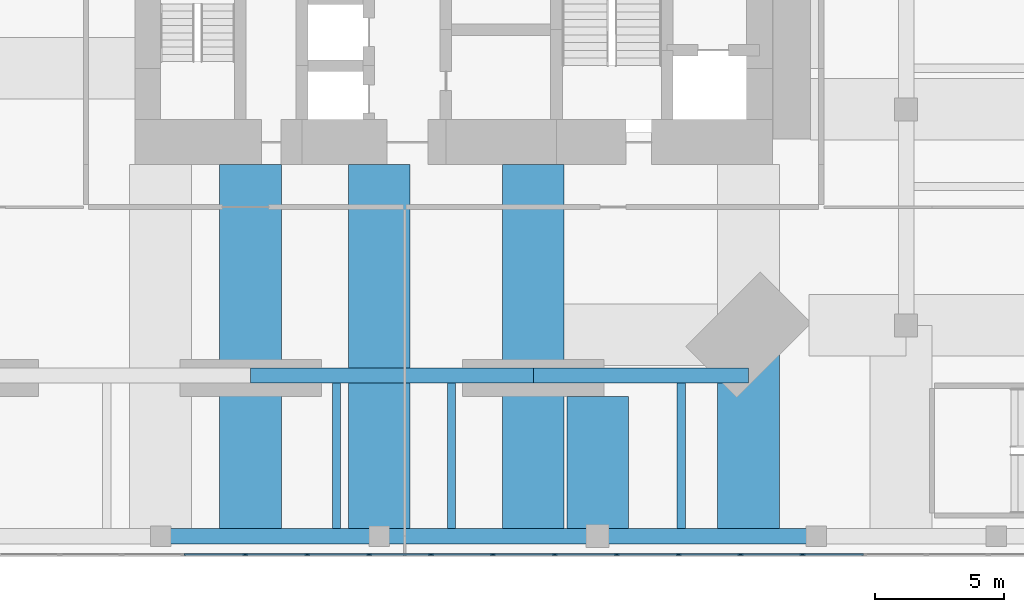
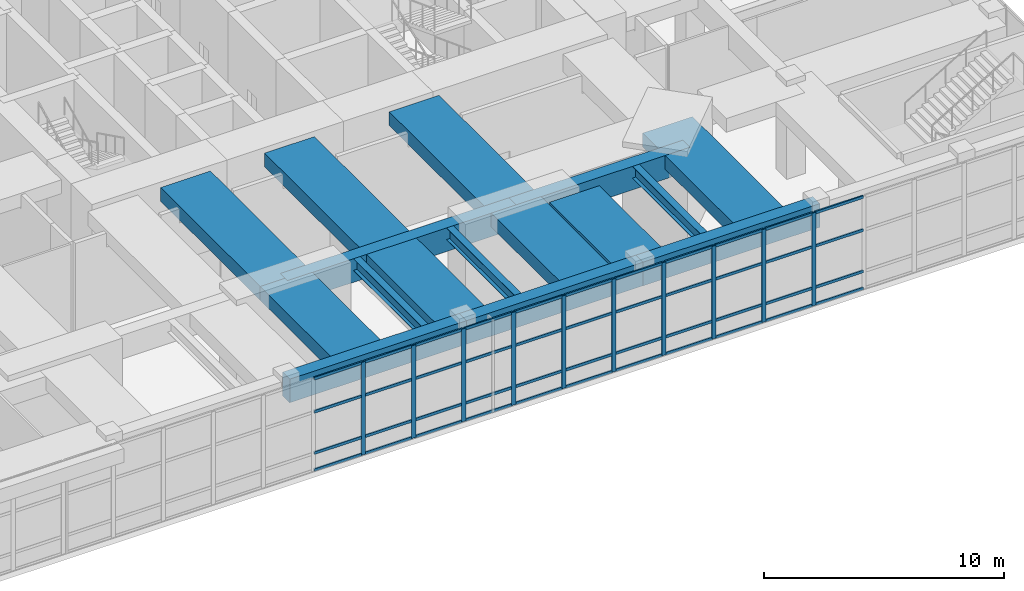
# One storey, part 5 of 24: 54 members, 16 beams, 1 element without a shape of its own.
"""IFC4 building model written with IfcOpenShell, lengths in metres."""

from ifc_helpers import new_model, si_unit, direction, frame, origin, origin_2d, place, context, subcontext, project, spatial, rectangle, i_section, extrude, material, material_profile, profile_set, type_object, element, aggregate, save


model = new_model("IFC4")

# Units and contexts
model_context = context("Model", 3, precision=1e-05, world=origin(), true_north=direction((0.0, 1.0)))
body_context = subcontext(model_context, "Body", "Model", "MODEL_VIEW")
ifc_project = project(units=[si_unit("LENGTHUNIT", "METRE"), si_unit("AREAUNIT", "SQUARE_METRE"), si_unit("VOLUMEUNIT", "CUBIC_METRE"), si_unit("PLANEANGLEUNIT", "RADIAN"), si_unit("MASSUNIT", "GRAM", prefix="KILO")], contexts=[model_context])

# Site, building, storey
site_placement = place(None, origin())
site = spatial("IfcSite", under=ifc_project, at=site_placement, CompositionType="ELEMENT")
building_placement = place(site_placement, origin())
building = spatial("IfcBuilding", under=site, at=building_placement, Name="Jalousie Tower", CompositionType="ELEMENT")
storey_placement = place(building_placement, frame((0.0, 0.0, 11.0)))
storey = spatial("IfcBuildingStorey", under=building, at=storey_placement, Name="L02", CompositionType="ELEMENT", Elevation=11.0)

# Beams
ifc_material_1 = material(Name="Steel ASTM A992 Grade 50", Category="steel")
ifc_material_profile_1 = material_profile(ifc_material_1, i_section(OverallWidth=0.3251953125, OverallDepth=0.612060546875, WebThickness=0.0126953125, FlangeThickness=0.01904296875, at=origin_2d()), Name="W24X104")
ifc_profile_set_1 = profile_set([ifc_material_profile_1], Name="Steel ASTM A992 Grade 50")
beam_type_1 = type_object("IfcBeamType", Name="PLANT FLOOR BEAM W24X104", PredefinedType="BEAM", material=ifc_profile_set_1)
for number, where, z_axis, x_axis, name in (
    (1, (27.343017578125, -4.89990234375, 4.413818359375), (0.0, 1.0, 0.0), (-1.0, 0.0, 0.0), "Plant floor beam under Electrical plant room L03"),
    (2, (31.814208984375, -4.89990234375, 4.413818359375), (0.0, 1.0, 0.0), (-1.0, 0.0, 0.0), "Plant floor beam under Electrical plant room L03"),
    (3, (40.757080078125, -4.89990234375, 4.413818359375), (0.0, 1.0, 0.0), (-1.0, 0.0, 0.0), "Plant floor beam under Electrical plant room L03"),
):
    element("IfcBeam", number, at=place(storey_placement, frame(where, z_axis=z_axis, x_axis=x_axis)), inside=storey, type_object=beam_type_1, Name=name, PredefinedType="BEAM", context=body_context, shape_type="SweptSolid", body=[
        extrude(i_section(OverallWidth=0.3251953125, OverallDepth=0.612060546875, WebThickness=0.0126953125, FlangeThickness=0.01904296875, at=origin_2d()), origin(), (0.0, 0.0, 1.0), 5.64990234375),
    ])

# Curtain wall, members
ifc_material_2 = material(Name="Aluminium curtain wall", Category="aluminium")
curtain_wall_type = type_object("IfcCurtainWallType", Name="PODIUM WINDOW WALL", PredefinedType="USERDEFINED", material=ifc_material_2)
curtain_wall_placement = place(storey_placement, origin())
curtain_wall = element("IfcCurtainWall", 4, at=curtain_wall_placement, inside=storey, type_object=curtain_wall_type, Name="Podium Window Wall L02 1", ObjectType="PODIUM WINDOW WALL", PredefinedType="USERDEFINED")
ifc_material_3 = material(Name="Aluminium mullion", Category="aluminium")
ifc_material_profile_2 = material_profile(ifc_material_3, rectangle(XDim=0.070068359375, YDim=0.199951171875, at=origin_2d()), Name="MULLION 70x200")
ifc_profile_set_2 = profile_set([ifc_material_profile_2], Name="Aluminium mullion")
member_type_1 = type_object("IfcMemberType", Name="PODIUM WINDOW WALL MULLION", PredefinedType="MULLION", material=ifc_profile_set_2)
member_1_placement = place(storey_placement, frame((23.796142578125, -5.91259765625, 0.0), z_axis=(0.0, 0.0, 1.0), x_axis=(0.0, 1.0, 0.0)))
member_1 = element("IfcMember", 5, at=member_1_placement, type_object=member_type_1, Name="CW-P mullion 15", PredefinedType="MULLION", context=body_context, shape_type="SweptSolid", body=[
    extrude(rectangle(XDim=0.070068359375, YDim=0.199951171875, at=origin_2d()), origin(), (0.0, 0.0, 1.0), 4.719970703125),
])
member_2_placement = place(storey_placement, frame((26.203857421875, -5.91259765625, 0.0), z_axis=(0.0, 0.0, 1.0), x_axis=(0.0, 1.0, 0.0)))
member_2 = element("IfcMember", 6, at=member_2_placement, type_object=member_type_1, Name="CW-P mullion 16", PredefinedType="MULLION", context=body_context, shape_type="SweptSolid", body=[
    extrude(rectangle(XDim=0.070068359375, YDim=0.199951171875, at=origin_2d()), origin(), (0.0, 0.0, 1.0), 4.719970703125),
])
member_3_placement = place(storey_placement, frame((28.611572265625, -5.91259765625, 0.0), z_axis=(0.0, 0.0, 1.0), x_axis=(0.0, 1.0, 0.0)))
member_3 = element("IfcMember", 7, at=member_3_placement, type_object=member_type_1, Name="CW-P mullion 17", PredefinedType="MULLION", context=body_context, shape_type="SweptSolid", body=[
    extrude(rectangle(XDim=0.070068359375, YDim=0.199951171875, at=origin_2d()), origin(), (0.0, 0.0, 1.0), 4.719970703125),
])
member_4_placement = place(storey_placement, frame((31.019287109375, -5.91259765625, 0.0), z_axis=(0.0, 0.0, 1.0), x_axis=(0.0, 1.0, 0.0)))
member_4 = element("IfcMember", 8, at=member_4_placement, type_object=member_type_1, Name="CW-P mullion 18", PredefinedType="MULLION", context=body_context, shape_type="SweptSolid", body=[
    extrude(rectangle(XDim=0.070068359375, YDim=0.199951171875, at=origin_2d()), origin(), (0.0, 0.0, 1.0), 4.719970703125),
])
member_5_placement = place(storey_placement, frame((33.42724609375, -5.91259765625, 0.0), z_axis=(0.0, 0.0, 1.0), x_axis=(0.0, 1.0, 0.0)))
member_5 = element("IfcMember", 9, at=member_5_placement, type_object=member_type_1, Name="CW-P mullion 19", PredefinedType="MULLION", context=body_context, shape_type="SweptSolid", body=[
    extrude(rectangle(XDim=0.070068359375, YDim=0.199951171875, at=origin_2d()), origin(), (0.0, 0.0, 1.0), 4.719970703125),
])
member_6_placement = place(storey_placement, frame((35.8349609375, -5.91259765625, 0.0), z_axis=(0.0, 0.0, 1.0), x_axis=(0.0, 1.0, 0.0)))
member_6 = element("IfcMember", 10, at=member_6_placement, type_object=member_type_1, Name="CW-P mullion 20", PredefinedType="MULLION", context=body_context, shape_type="SweptSolid", body=[
    extrude(rectangle(XDim=0.070068359375, YDim=0.199951171875, at=origin_2d()), origin(), (0.0, 0.0, 1.0), 4.719970703125),
])
member_7_placement = place(storey_placement, frame((38.24267578125, -5.91259765625, 0.0), z_axis=(0.0, 0.0, 1.0), x_axis=(0.0, 1.0, 0.0)))
member_7 = element("IfcMember", 11, at=member_7_placement, type_object=member_type_1, Name="CW-P mullion 21", PredefinedType="MULLION", context=body_context, shape_type="SweptSolid", body=[
    extrude(rectangle(XDim=0.070068359375, YDim=0.199951171875, at=origin_2d()), origin(), (0.0, 0.0, 1.0), 4.719970703125),
])
member_8_placement = place(storey_placement, frame((40.650390625, -5.91259765625, 0.0), z_axis=(0.0, 0.0, 1.0), x_axis=(0.0, 1.0, 0.0)))
member_8 = element("IfcMember", 12, at=member_8_placement, type_object=member_type_1, Name="CW-P mullion 22", PredefinedType="MULLION", context=body_context, shape_type="SweptSolid", body=[
    extrude(rectangle(XDim=0.070068359375, YDim=0.199951171875, at=origin_2d()), origin(), (0.0, 0.0, 1.0), 4.719970703125),
])
member_9_placement = place(storey_placement, frame((43.05810546875, -5.91259765625, 0.0), z_axis=(0.0, 0.0, 1.0), x_axis=(0.0, 1.0, 0.0)))
member_9 = element("IfcMember", 13, at=member_9_placement, type_object=member_type_1, Name="CW-P mullion 23", PredefinedType="MULLION", context=body_context, shape_type="SweptSolid", body=[
    extrude(rectangle(XDim=0.070068359375, YDim=0.199951171875, at=origin_2d()), origin(), (0.0, 0.0, 1.0), 4.719970703125),
])
member_10_placement = place(storey_placement, frame((45.466064453125, -5.91259765625, 0.0), z_axis=(0.0, 0.0, 1.0), x_axis=(0.0, 1.0, 0.0)))
member_10 = element("IfcMember", 14, at=member_10_placement, type_object=member_type_1, Name="CW-P mullion 24", PredefinedType="MULLION", context=body_context, shape_type="SweptSolid", body=[
    extrude(rectangle(XDim=0.070068359375, YDim=0.199951171875, at=origin_2d()), origin(), (0.0, 0.0, 1.0), 4.719970703125),
])
ifc_material_4 = material(Name="Aluminium transom", Category="aluminium")
ifc_material_profile_3 = material_profile(ifc_material_4, rectangle(XDim=0.070068359375, YDim=0.139892578125, at=origin_2d()), Name="TRANSOM 70x140")
ifc_profile_set_3 = profile_set([ifc_material_profile_3], Name="Aluminium transom")
member_type_2 = type_object("IfcMemberType", Name="PODIUM WINDOW WALL TRANSOM", PredefinedType="USERDEFINED", material=ifc_profile_set_3)
member_11_placement = place(storey_placement, frame((21.42333984375, -5.91259765625, 0.034912109375), z_axis=(1.0, 0.0, 0.0), x_axis=(0.0, 1.0, 0.0)))
member_11 = element("IfcMember", 15, at=member_11_placement, type_object=member_type_2, Name="CW-P transom 14.1", ObjectType="TRANSOM", PredefinedType="USERDEFINED", context=body_context, shape_type="SweptSolid", body=[
    extrude(rectangle(XDim=0.070068359375, YDim=0.139892578125, at=origin_2d()), origin(), (0.0, 0.0, 1.0), 2.337890625),
])
member_12_placement = place(storey_placement, frame((21.42333984375, -5.91259765625, 0.89990234375), z_axis=(1.0, 0.0, 0.0), x_axis=(0.0, 1.0, 0.0)))
member_12 = element("IfcMember", 16, at=member_12_placement, type_object=member_type_2, Name="CW-P transom 14.2", ObjectType="TRANSOM", PredefinedType="USERDEFINED", context=body_context, shape_type="SweptSolid", body=[
    extrude(rectangle(XDim=0.070068359375, YDim=0.139892578125, at=origin_2d()), origin(), (0.0, 0.0, 1.0), 2.337890625),
])
member_13_placement = place(storey_placement, frame((21.42333984375, -5.91259765625, 3.0), z_axis=(1.0, 0.0, 0.0), x_axis=(0.0, 1.0, 0.0)))
member_13 = element("IfcMember", 17, at=member_13_placement, type_object=member_type_2, Name="CW-P transom 14.3", ObjectType="TRANSOM", PredefinedType="USERDEFINED", context=body_context, shape_type="SweptSolid", body=[
    extrude(rectangle(XDim=0.070068359375, YDim=0.139892578125, at=origin_2d()), origin(), (0.0, 0.0, 1.0), 2.337890625),
])
member_14_placement = place(storey_placement, frame((21.42333984375, -5.91259765625, 4.68505859375), z_axis=(1.0, 0.0, 0.0), x_axis=(0.0, 1.0, 0.0)))
member_14 = element("IfcMember", 18, at=member_14_placement, type_object=member_type_2, Name="CW-P transom 14.4", ObjectType="TRANSOM", PredefinedType="USERDEFINED", context=body_context, shape_type="SweptSolid", body=[
    extrude(rectangle(XDim=0.070068359375, YDim=0.139892578125, at=origin_2d()), origin(), (0.0, 0.0, 1.0), 2.337890625),
])
member_15_placement = place(storey_placement, frame((23.8310546875, -5.91259765625, 0.034912109375), z_axis=(1.0, 0.0, 0.0), x_axis=(0.0, 1.0, 0.0)))
member_15 = element("IfcMember", 19, at=member_15_placement, type_object=member_type_2, Name="CW-P transom 15.1", ObjectType="TRANSOM", PredefinedType="USERDEFINED", context=body_context, shape_type="SweptSolid", body=[
    extrude(rectangle(XDim=0.070068359375, YDim=0.139892578125, at=origin_2d()), origin(), (0.0, 0.0, 1.0), 2.337890625),
])
member_16_placement = place(storey_placement, frame((23.8310546875, -5.91259765625, 0.89990234375), z_axis=(1.0, 0.0, 0.0), x_axis=(0.0, 1.0, 0.0)))
member_16 = element("IfcMember", 20, at=member_16_placement, type_object=member_type_2, Name="CW-P transom 15.2", ObjectType="TRANSOM", PredefinedType="USERDEFINED", context=body_context, shape_type="SweptSolid", body=[
    extrude(rectangle(XDim=0.070068359375, YDim=0.139892578125, at=origin_2d()), origin(), (0.0, 0.0, 1.0), 2.337890625),
])
member_17_placement = place(storey_placement, frame((23.8310546875, -5.91259765625, 3.0), z_axis=(1.0, 0.0, 0.0), x_axis=(0.0, 1.0, 0.0)))
member_17 = element("IfcMember", 21, at=member_17_placement, type_object=member_type_2, Name="CW-P transom 15.3", ObjectType="TRANSOM", PredefinedType="USERDEFINED", context=body_context, shape_type="SweptSolid", body=[
    extrude(rectangle(XDim=0.070068359375, YDim=0.139892578125, at=origin_2d()), origin(), (0.0, 0.0, 1.0), 2.337890625),
])
member_18_placement = place(storey_placement, frame((23.8310546875, -5.91259765625, 4.68505859375), z_axis=(1.0, 0.0, 0.0), x_axis=(0.0, 1.0, 0.0)))
member_18 = element("IfcMember", 22, at=member_18_placement, type_object=member_type_2, Name="CW-P transom 15.4", ObjectType="TRANSOM", PredefinedType="USERDEFINED", context=body_context, shape_type="SweptSolid", body=[
    extrude(rectangle(XDim=0.070068359375, YDim=0.139892578125, at=origin_2d()), origin(), (0.0, 0.0, 1.0), 2.337890625),
])
member_19_placement = place(storey_placement, frame((26.23876953125, -5.91259765625, 0.034912109375), z_axis=(1.0, 0.0, 0.0), x_axis=(0.0, 1.0, 0.0)))
member_19 = element("IfcMember", 23, at=member_19_placement, type_object=member_type_2, Name="CW-P transom 16.1", ObjectType="TRANSOM", PredefinedType="USERDEFINED", context=body_context, shape_type="SweptSolid", body=[
    extrude(rectangle(XDim=0.070068359375, YDim=0.139892578125, at=origin_2d()), origin(), (0.0, 0.0, 1.0), 2.337890625),
])
member_20_placement = place(storey_placement, frame((26.23876953125, -5.91259765625, 0.89990234375), z_axis=(1.0, 0.0, 0.0), x_axis=(0.0, 1.0, 0.0)))
member_20 = element("IfcMember", 24, at=member_20_placement, type_object=member_type_2, Name="CW-P transom 16.2", ObjectType="TRANSOM", PredefinedType="USERDEFINED", context=body_context, shape_type="SweptSolid", body=[
    extrude(rectangle(XDim=0.070068359375, YDim=0.139892578125, at=origin_2d()), origin(), (0.0, 0.0, 1.0), 2.337890625),
])
member_21_placement = place(storey_placement, frame((26.23876953125, -5.91259765625, 3.0), z_axis=(1.0, 0.0, 0.0), x_axis=(0.0, 1.0, 0.0)))
member_21 = element("IfcMember", 25, at=member_21_placement, type_object=member_type_2, Name="CW-P transom 16.3", ObjectType="TRANSOM", PredefinedType="USERDEFINED", context=body_context, shape_type="SweptSolid", body=[
    extrude(rectangle(XDim=0.070068359375, YDim=0.139892578125, at=origin_2d()), origin(), (0.0, 0.0, 1.0), 2.337890625),
])
member_22_placement = place(storey_placement, frame((26.23876953125, -5.91259765625, 4.68505859375), z_axis=(1.0, 0.0, 0.0), x_axis=(0.0, 1.0, 0.0)))
member_22 = element("IfcMember", 26, at=member_22_placement, type_object=member_type_2, Name="CW-P transom 16.4", ObjectType="TRANSOM", PredefinedType="USERDEFINED", context=body_context, shape_type="SweptSolid", body=[
    extrude(rectangle(XDim=0.070068359375, YDim=0.139892578125, at=origin_2d()), origin(), (0.0, 0.0, 1.0), 2.337890625),
])
member_23_placement = place(storey_placement, frame((28.646728515625, -5.91259765625, 0.034912109375), z_axis=(1.0, 0.0, 0.0), x_axis=(0.0, 1.0, 0.0)))
member_23 = element("IfcMember", 27, at=member_23_placement, type_object=member_type_2, Name="CW-P transom 17.1", ObjectType="TRANSOM", PredefinedType="USERDEFINED", context=body_context, shape_type="SweptSolid", body=[
    extrude(rectangle(XDim=0.070068359375, YDim=0.139892578125, at=origin_2d()), origin(), (0.0, 0.0, 1.0), 2.337646484375),
])
member_24_placement = place(storey_placement, frame((28.646728515625, -5.91259765625, 0.89990234375), z_axis=(1.0, 0.0, 0.0), x_axis=(0.0, 1.0, 0.0)))
member_24 = element("IfcMember", 28, at=member_24_placement, type_object=member_type_2, Name="CW-P transom 17.2", ObjectType="TRANSOM", PredefinedType="USERDEFINED", context=body_context, shape_type="SweptSolid", body=[
    extrude(rectangle(XDim=0.070068359375, YDim=0.139892578125, at=origin_2d()), origin(), (0.0, 0.0, 1.0), 2.337646484375),
])
member_25_placement = place(storey_placement, frame((28.646728515625, -5.91259765625, 3.0), z_axis=(1.0, 0.0, 0.0), x_axis=(0.0, 1.0, 0.0)))
member_25 = element("IfcMember", 29, at=member_25_placement, type_object=member_type_2, Name="CW-P transom 17.3", ObjectType="TRANSOM", PredefinedType="USERDEFINED", context=body_context, shape_type="SweptSolid", body=[
    extrude(rectangle(XDim=0.070068359375, YDim=0.139892578125, at=origin_2d()), origin(), (0.0, 0.0, 1.0), 2.337646484375),
])
member_26_placement = place(storey_placement, frame((28.646728515625, -5.91259765625, 4.68505859375), z_axis=(1.0, 0.0, 0.0), x_axis=(0.0, 1.0, 0.0)))
member_26 = element("IfcMember", 30, at=member_26_placement, type_object=member_type_2, Name="CW-P transom 17.4", ObjectType="TRANSOM", PredefinedType="USERDEFINED", context=body_context, shape_type="SweptSolid", body=[
    extrude(rectangle(XDim=0.070068359375, YDim=0.139892578125, at=origin_2d()), origin(), (0.0, 0.0, 1.0), 2.337646484375),
])
member_27_placement = place(storey_placement, frame((31.054443359375, -5.91259765625, 0.034912109375), z_axis=(1.0, 0.0, 0.0), x_axis=(0.0, 1.0, 0.0)))
member_27 = element("IfcMember", 31, at=member_27_placement, type_object=member_type_2, Name="CW-P transom 18.1", ObjectType="TRANSOM", PredefinedType="USERDEFINED", context=body_context, shape_type="SweptSolid", body=[
    extrude(rectangle(XDim=0.070068359375, YDim=0.139892578125, at=origin_2d()), origin(), (0.0, 0.0, 1.0), 2.337646484375),
])
member_28_placement = place(storey_placement, frame((31.054443359375, -5.91259765625, 0.89990234375), z_axis=(1.0, 0.0, 0.0), x_axis=(0.0, 1.0, 0.0)))
member_28 = element("IfcMember", 32, at=member_28_placement, type_object=member_type_2, Name="CW-P transom 18.2", ObjectType="TRANSOM", PredefinedType="USERDEFINED", context=body_context, shape_type="SweptSolid", body=[
    extrude(rectangle(XDim=0.070068359375, YDim=0.139892578125, at=origin_2d()), origin(), (0.0, 0.0, 1.0), 2.337646484375),
])
member_29_placement = place(storey_placement, frame((31.054443359375, -5.91259765625, 3.0), z_axis=(1.0, 0.0, 0.0), x_axis=(0.0, 1.0, 0.0)))
member_29 = element("IfcMember", 33, at=member_29_placement, type_object=member_type_2, Name="CW-P transom 18.3", ObjectType="TRANSOM", PredefinedType="USERDEFINED", context=body_context, shape_type="SweptSolid", body=[
    extrude(rectangle(XDim=0.070068359375, YDim=0.139892578125, at=origin_2d()), origin(), (0.0, 0.0, 1.0), 2.337646484375),
])
member_30_placement = place(storey_placement, frame((31.054443359375, -5.91259765625, 4.68505859375), z_axis=(1.0, 0.0, 0.0), x_axis=(0.0, 1.0, 0.0)))
member_30 = element("IfcMember", 34, at=member_30_placement, type_object=member_type_2, Name="CW-P transom 18.4", ObjectType="TRANSOM", PredefinedType="USERDEFINED", context=body_context, shape_type="SweptSolid", body=[
    extrude(rectangle(XDim=0.070068359375, YDim=0.139892578125, at=origin_2d()), origin(), (0.0, 0.0, 1.0), 2.337646484375),
])
member_31_placement = place(storey_placement, frame((33.462158203125, -5.91259765625, 0.034912109375), z_axis=(1.0, 0.0, 0.0), x_axis=(0.0, 1.0, 0.0)))
member_31 = element("IfcMember", 35, at=member_31_placement, type_object=member_type_2, Name="CW-P transom 19.1", ObjectType="TRANSOM", PredefinedType="USERDEFINED", context=body_context, shape_type="SweptSolid", body=[
    extrude(rectangle(XDim=0.070068359375, YDim=0.139892578125, at=origin_2d()), origin(), (0.0, 0.0, 1.0), 2.337646484375),
])
member_32_placement = place(storey_placement, frame((33.462158203125, -5.91259765625, 0.89990234375), z_axis=(1.0, 0.0, 0.0), x_axis=(0.0, 1.0, 0.0)))
member_32 = element("IfcMember", 36, at=member_32_placement, type_object=member_type_2, Name="CW-P transom 19.2", ObjectType="TRANSOM", PredefinedType="USERDEFINED", context=body_context, shape_type="SweptSolid", body=[
    extrude(rectangle(XDim=0.070068359375, YDim=0.139892578125, at=origin_2d()), origin(), (0.0, 0.0, 1.0), 2.337646484375),
])
member_33_placement = place(storey_placement, frame((33.462158203125, -5.91259765625, 3.0), z_axis=(1.0, 0.0, 0.0), x_axis=(0.0, 1.0, 0.0)))
member_33 = element("IfcMember", 37, at=member_33_placement, type_object=member_type_2, Name="CW-P transom 19.3", ObjectType="TRANSOM", PredefinedType="USERDEFINED", context=body_context, shape_type="SweptSolid", body=[
    extrude(rectangle(XDim=0.070068359375, YDim=0.139892578125, at=origin_2d()), origin(), (0.0, 0.0, 1.0), 2.337646484375),
])
member_34_placement = place(storey_placement, frame((33.462158203125, -5.91259765625, 4.68505859375), z_axis=(1.0, 0.0, 0.0), x_axis=(0.0, 1.0, 0.0)))
member_34 = element("IfcMember", 38, at=member_34_placement, type_object=member_type_2, Name="CW-P transom 19.4", ObjectType="TRANSOM", PredefinedType="USERDEFINED", context=body_context, shape_type="SweptSolid", body=[
    extrude(rectangle(XDim=0.070068359375, YDim=0.139892578125, at=origin_2d()), origin(), (0.0, 0.0, 1.0), 2.337646484375),
])
member_35_placement = place(storey_placement, frame((35.869873046875, -5.91259765625, 0.034912109375), z_axis=(1.0, 0.0, 0.0), x_axis=(0.0, 1.0, 0.0)))
member_35 = element("IfcMember", 39, at=member_35_placement, type_object=member_type_2, Name="CW-P transom 20.1", ObjectType="TRANSOM", PredefinedType="USERDEFINED", context=body_context, shape_type="SweptSolid", body=[
    extrude(rectangle(XDim=0.070068359375, YDim=0.139892578125, at=origin_2d()), origin(), (0.0, 0.0, 1.0), 2.337890625),
])
member_36_placement = place(storey_placement, frame((35.869873046875, -5.91259765625, 0.89990234375), z_axis=(1.0, 0.0, 0.0), x_axis=(0.0, 1.0, 0.0)))
member_36 = element("IfcMember", 40, at=member_36_placement, type_object=member_type_2, Name="CW-P transom 20.2", ObjectType="TRANSOM", PredefinedType="USERDEFINED", context=body_context, shape_type="SweptSolid", body=[
    extrude(rectangle(XDim=0.070068359375, YDim=0.139892578125, at=origin_2d()), origin(), (0.0, 0.0, 1.0), 2.337890625),
])
member_37_placement = place(storey_placement, frame((35.869873046875, -5.91259765625, 3.0), z_axis=(1.0, 0.0, 0.0), x_axis=(0.0, 1.0, 0.0)))
member_37 = element("IfcMember", 41, at=member_37_placement, type_object=member_type_2, Name="CW-P transom 20.3", ObjectType="TRANSOM", PredefinedType="USERDEFINED", context=body_context, shape_type="SweptSolid", body=[
    extrude(rectangle(XDim=0.070068359375, YDim=0.139892578125, at=origin_2d()), origin(), (0.0, 0.0, 1.0), 2.337890625),
])
member_38_placement = place(storey_placement, frame((35.869873046875, -5.91259765625, 4.68505859375), z_axis=(1.0, 0.0, 0.0), x_axis=(0.0, 1.0, 0.0)))
member_38 = element("IfcMember", 42, at=member_38_placement, type_object=member_type_2, Name="CW-P transom 20.4", ObjectType="TRANSOM", PredefinedType="USERDEFINED", context=body_context, shape_type="SweptSolid", body=[
    extrude(rectangle(XDim=0.070068359375, YDim=0.139892578125, at=origin_2d()), origin(), (0.0, 0.0, 1.0), 2.337890625),
])
member_39_placement = place(storey_placement, frame((38.277587890625, -5.91259765625, 0.034912109375), z_axis=(1.0, 0.0, 0.0), x_axis=(0.0, 1.0, 0.0)))
member_39 = element("IfcMember", 43, at=member_39_placement, type_object=member_type_2, Name="CW-P transom 21.1", ObjectType="TRANSOM", PredefinedType="USERDEFINED", context=body_context, shape_type="SweptSolid", body=[
    extrude(rectangle(XDim=0.070068359375, YDim=0.139892578125, at=origin_2d()), origin(), (0.0, 0.0, 1.0), 2.337890625),
])
member_40_placement = place(storey_placement, frame((38.277587890625, -5.91259765625, 0.89990234375), z_axis=(1.0, 0.0, 0.0), x_axis=(0.0, 1.0, 0.0)))
member_40 = element("IfcMember", 44, at=member_40_placement, type_object=member_type_2, Name="CW-P transom 21.2", ObjectType="TRANSOM", PredefinedType="USERDEFINED", context=body_context, shape_type="SweptSolid", body=[
    extrude(rectangle(XDim=0.070068359375, YDim=0.139892578125, at=origin_2d()), origin(), (0.0, 0.0, 1.0), 2.337890625),
])
member_41_placement = place(storey_placement, frame((38.277587890625, -5.91259765625, 3.0), z_axis=(1.0, 0.0, 0.0), x_axis=(0.0, 1.0, 0.0)))
member_41 = element("IfcMember", 45, at=member_41_placement, type_object=member_type_2, Name="CW-P transom 21.3", ObjectType="TRANSOM", PredefinedType="USERDEFINED", context=body_context, shape_type="SweptSolid", body=[
    extrude(rectangle(XDim=0.070068359375, YDim=0.139892578125, at=origin_2d()), origin(), (0.0, 0.0, 1.0), 2.337890625),
])
member_42_placement = place(storey_placement, frame((38.277587890625, -5.91259765625, 4.68505859375), z_axis=(1.0, 0.0, 0.0), x_axis=(0.0, 1.0, 0.0)))
member_42 = element("IfcMember", 46, at=member_42_placement, type_object=member_type_2, Name="CW-P transom 21.4", ObjectType="TRANSOM", PredefinedType="USERDEFINED", context=body_context, shape_type="SweptSolid", body=[
    extrude(rectangle(XDim=0.070068359375, YDim=0.139892578125, at=origin_2d()), origin(), (0.0, 0.0, 1.0), 2.337890625),
])
member_43_placement = place(storey_placement, frame((40.685546875, -5.91259765625, 0.034912109375), z_axis=(1.0, 0.0, 0.0), x_axis=(0.0, 1.0, 0.0)))
member_43 = element("IfcMember", 47, at=member_43_placement, type_object=member_type_2, Name="CW-P transom 22.1", ObjectType="TRANSOM", PredefinedType="USERDEFINED", context=body_context, shape_type="SweptSolid", body=[
    extrude(rectangle(XDim=0.070068359375, YDim=0.139892578125, at=origin_2d()), origin(), (0.0, 0.0, 1.0), 2.337646484375),
])
member_44_placement = place(storey_placement, frame((40.685546875, -5.91259765625, 0.89990234375), z_axis=(1.0, 0.0, 0.0), x_axis=(0.0, 1.0, 0.0)))
member_44 = element("IfcMember", 48, at=member_44_placement, type_object=member_type_2, Name="CW-P transom 22.2", ObjectType="TRANSOM", PredefinedType="USERDEFINED", context=body_context, shape_type="SweptSolid", body=[
    extrude(rectangle(XDim=0.070068359375, YDim=0.139892578125, at=origin_2d()), origin(), (0.0, 0.0, 1.0), 2.337646484375),
])
member_45_placement = place(storey_placement, frame((40.685546875, -5.91259765625, 3.0), z_axis=(1.0, 0.0, 0.0), x_axis=(0.0, 1.0, 0.0)))
member_45 = element("IfcMember", 49, at=member_45_placement, type_object=member_type_2, Name="CW-P transom 22.3", ObjectType="TRANSOM", PredefinedType="USERDEFINED", context=body_context, shape_type="SweptSolid", body=[
    extrude(rectangle(XDim=0.070068359375, YDim=0.139892578125, at=origin_2d()), origin(), (0.0, 0.0, 1.0), 2.337646484375),
])
member_46_placement = place(storey_placement, frame((40.685546875, -5.91259765625, 4.68505859375), z_axis=(1.0, 0.0, 0.0), x_axis=(0.0, 1.0, 0.0)))
member_46 = element("IfcMember", 50, at=member_46_placement, type_object=member_type_2, Name="CW-P transom 22.4", ObjectType="TRANSOM", PredefinedType="USERDEFINED", context=body_context, shape_type="SweptSolid", body=[
    extrude(rectangle(XDim=0.070068359375, YDim=0.139892578125, at=origin_2d()), origin(), (0.0, 0.0, 1.0), 2.337646484375),
])
member_47_placement = place(storey_placement, frame((43.09326171875, -5.91259765625, 0.034912109375), z_axis=(1.0, 0.0, 0.0), x_axis=(0.0, 1.0, 0.0)))
member_47 = element("IfcMember", 51, at=member_47_placement, type_object=member_type_2, Name="CW-P transom 23.1", ObjectType="TRANSOM", PredefinedType="USERDEFINED", context=body_context, shape_type="SweptSolid", body=[
    extrude(rectangle(XDim=0.070068359375, YDim=0.139892578125, at=origin_2d()), origin(), (0.0, 0.0, 1.0), 2.337646484375),
])
member_48_placement = place(storey_placement, frame((43.09326171875, -5.91259765625, 0.89990234375), z_axis=(1.0, 0.0, 0.0), x_axis=(0.0, 1.0, 0.0)))
member_48 = element("IfcMember", 52, at=member_48_placement, type_object=member_type_2, Name="CW-P transom 23.2", ObjectType="TRANSOM", PredefinedType="USERDEFINED", context=body_context, shape_type="SweptSolid", body=[
    extrude(rectangle(XDim=0.070068359375, YDim=0.139892578125, at=origin_2d()), origin(), (0.0, 0.0, 1.0), 2.337646484375),
])
member_49_placement = place(storey_placement, frame((43.09326171875, -5.91259765625, 3.0), z_axis=(1.0, 0.0, 0.0), x_axis=(0.0, 1.0, 0.0)))
member_49 = element("IfcMember", 53, at=member_49_placement, type_object=member_type_2, Name="CW-P transom 23.3", ObjectType="TRANSOM", PredefinedType="USERDEFINED", context=body_context, shape_type="SweptSolid", body=[
    extrude(rectangle(XDim=0.070068359375, YDim=0.139892578125, at=origin_2d()), origin(), (0.0, 0.0, 1.0), 2.337646484375),
])
member_50_placement = place(storey_placement, frame((43.09326171875, -5.91259765625, 4.68505859375), z_axis=(1.0, 0.0, 0.0), x_axis=(0.0, 1.0, 0.0)))
member_50 = element("IfcMember", 54, at=member_50_placement, type_object=member_type_2, Name="CW-P transom 23.4", ObjectType="TRANSOM", PredefinedType="USERDEFINED", context=body_context, shape_type="SweptSolid", body=[
    extrude(rectangle(XDim=0.070068359375, YDim=0.139892578125, at=origin_2d()), origin(), (0.0, 0.0, 1.0), 2.337646484375),
])
member_51_placement = place(storey_placement, frame((45.5009765625, -5.91259765625, 0.034912109375), z_axis=(1.0, 0.0, 0.0), x_axis=(0.0, 1.0, 0.0)))
member_51 = element("IfcMember", 55, at=member_51_placement, type_object=member_type_2, Name="CW-P transom 24.1", ObjectType="TRANSOM", PredefinedType="USERDEFINED", context=body_context, shape_type="SweptSolid", body=[
    extrude(rectangle(XDim=0.070068359375, YDim=0.139892578125, at=origin_2d()), origin(), (0.0, 0.0, 1.0), 2.337646484375),
])
member_52_placement = place(storey_placement, frame((45.5009765625, -5.91259765625, 0.89990234375), z_axis=(1.0, 0.0, 0.0), x_axis=(0.0, 1.0, 0.0)))
member_52 = element("IfcMember", 56, at=member_52_placement, type_object=member_type_2, Name="CW-P transom 24.2", ObjectType="TRANSOM", PredefinedType="USERDEFINED", context=body_context, shape_type="SweptSolid", body=[
    extrude(rectangle(XDim=0.070068359375, YDim=0.139892578125, at=origin_2d()), origin(), (0.0, 0.0, 1.0), 2.337646484375),
])
member_53_placement = place(storey_placement, frame((45.5009765625, -5.91259765625, 3.0), z_axis=(1.0, 0.0, 0.0), x_axis=(0.0, 1.0, 0.0)))
member_53 = element("IfcMember", 57, at=member_53_placement, type_object=member_type_2, Name="CW-P transom 24.3", ObjectType="TRANSOM", PredefinedType="USERDEFINED", context=body_context, shape_type="SweptSolid", body=[
    extrude(rectangle(XDim=0.070068359375, YDim=0.139892578125, at=origin_2d()), origin(), (0.0, 0.0, 1.0), 2.337646484375),
])
member_54_placement = place(storey_placement, frame((45.5009765625, -5.91259765625, 4.68505859375), z_axis=(1.0, 0.0, 0.0), x_axis=(0.0, 1.0, 0.0)))
member_54 = element("IfcMember", 58, at=member_54_placement, type_object=member_type_2, Name="CW-P transom 24.4", ObjectType="TRANSOM", PredefinedType="USERDEFINED", context=body_context, shape_type="SweptSolid", body=[
    extrude(rectangle(XDim=0.070068359375, YDim=0.139892578125, at=origin_2d()), origin(), (0.0, 0.0, 1.0), 2.337646484375),
])
aggregate(curtain_wall, [member_1, member_2, member_3, member_4, member_5, member_6, member_7, member_8, member_9, member_10, member_11, member_12, member_13, member_14, member_15, member_16, member_17, member_18, member_19, member_20, member_21, member_22, member_23, member_24, member_25, member_26, member_27, member_28, member_29, member_30, member_31, member_32, member_33, member_34, member_35, member_36, member_37, member_38, member_39, member_40, member_41, member_42, member_43, member_44, member_45, member_46, member_47, member_48, member_49, member_50, member_51, member_52, member_53, member_54])

# Beams
ifc_material_5 = material(Name="Concrete f'c 40 MPa", Category="concrete")
ifc_material_profile_4 = material_profile(ifc_material_5, rectangle(XDim=2.39990234375, YDim=0.699951171875, at=origin_2d()), Name="RC 2400x700")
ifc_profile_set_4 = profile_set([ifc_material_profile_4], Name="Concrete f'c 40 MPa")
beam_type_2 = type_object("IfcBeamType", Name="RC BEAM 2400x700", PredefinedType="BEAM", material=ifc_profile_set_4)
beam_1_placement = place(storey_placement, frame((24.0, 0.949951171875, 4.3701171875), z_axis=(0.0, 1.0, 0.0), x_axis=(-1.0, 0.0, 0.0)))
element("IfcBeam", 59, at=beam_1_placement, inside=storey, type_object=beam_type_2, Name="Floor band beam under L03", PredefinedType="BEAM", context=body_context, shape_type="SweptSolid", body=[
    extrude(rectangle(XDim=2.39990234375, YDim=0.699951171875, at=origin_2d()), origin(), (0.0, 0.0, 1.0), 8.300048828125),
])
beam_2_placement = place(storey_placement, frame((29.0, -5.199951171875, 4.3701171875), z_axis=(0.0, 1.0, 0.0), x_axis=(-1.0, 0.0, 0.0)))
element("IfcBeam", 60, at=beam_2_placement, inside=storey, type_object=beam_type_2, Name="Floor band beam under L03", PredefinedType="BEAM", context=body_context, shape_type="SweptSolid", body=[
    extrude(rectangle(XDim=2.39990234375, YDim=0.699951171875, at=origin_2d()), origin(), (0.0, 0.0, 1.0), 5.949951171875),
])
beam_3_placement = place(storey_placement, frame((29.0, 1.35009765625, 4.3701171875), z_axis=(0.0, 1.0, 0.0), x_axis=(-1.0, 0.0, 0.0)))
element("IfcBeam", 61, at=beam_3_placement, inside=storey, type_object=beam_type_2, Name="Floor band beam under L03", PredefinedType="BEAM", context=body_context, shape_type="SweptSolid", body=[
    extrude(rectangle(XDim=2.39990234375, YDim=0.699951171875, at=origin_2d()), origin(), (0.0, 0.0, 1.0), 7.89990234375),
])
beam_4_placement = place(storey_placement, frame((35.0, 0.949951171875, 4.3701171875), z_axis=(0.0, 1.0, 0.0), x_axis=(-1.0, 0.0, 0.0)))
element("IfcBeam", 62, at=beam_4_placement, inside=storey, type_object=beam_type_2, Name="Floor band beam under L03", PredefinedType="BEAM", context=body_context, shape_type="SweptSolid", body=[
    extrude(rectangle(XDim=2.39990234375, YDim=0.699951171875, at=origin_2d()), origin(), (0.0, 0.0, 1.0), 8.300048828125),
])
beam_5_placement = place(storey_placement, frame((37.5, -5.199951171875, 4.3701171875), z_axis=(0.0, 1.0, 0.0), x_axis=(-1.0, 0.0, 0.0)))
element("IfcBeam", 63, at=beam_5_placement, inside=storey, type_object=beam_type_2, Name="Floor band beam under L03", PredefinedType="BEAM", context=body_context, shape_type="SweptSolid", body=[
    extrude(rectangle(XDim=2.39990234375, YDim=0.699951171875, at=origin_2d()), origin(), (0.0, 0.0, 1.0), 5.425048828125),
])
for number, where, z_axis, x_axis, name in (
    (64, (24.0, 0.949951171875, 4.3701171875), (0.0, -1.0, 0.0), (1.0, 0.0, 0.0), "Floor band beam under L03"),
    (65, (35.0, 0.949951171875, 4.3701171875), (0.0, -1.0, 0.0), (1.0, 0.0, 0.0), "Floor band beam under L03"),
):
    element("IfcBeam", number, at=place(storey_placement, frame(where, z_axis=z_axis, x_axis=x_axis)), inside=storey, type_object=beam_type_2, Name=name, PredefinedType="BEAM", context=body_context, shape_type="SweptSolid", body=[
        extrude(rectangle(XDim=2.39990234375, YDim=0.699951171875, at=origin_2d()), origin(), (0.0, 0.0, 1.0), 6.14990234375),
    ])
beam_6_placement = place(storey_placement, frame((43.36865234375, 2.63134765625, 4.3701171875), z_axis=(0.0, -1.0, 0.0), x_axis=(1.0, 0.0, 0.0)))
element("IfcBeam", 66, at=beam_6_placement, inside=storey, type_object=beam_type_2, Name="Floor band beam under L03", PredefinedType="BEAM", context=body_context, shape_type="SweptSolid", body=[
    extrude(rectangle(XDim=2.39990234375, YDim=0.699951171875, at=origin_2d()), origin(), (0.0, 0.0, 1.0), 7.831298828125),
])
ifc_material_6 = material(Name="Concrete f'c 40 MPa", Category="concrete")
ifc_material_profile_5 = material_profile(ifc_material_6, rectangle(XDim=0.60009765625, YDim=1.199951171875, at=origin_2d()), Name="RC 600x1200")
ifc_profile_set_5 = profile_set([ifc_material_profile_5], Name="Concrete f'c 40 MPa")
beam_type_3 = type_object("IfcBeamType", Name="RC BEAM 600x1200", PredefinedType="BEAM", material=ifc_profile_set_5)
for number, where, z_axis, x_axis, name in (
    (67, (20.5, -5.199951171875, 4.1201171875), (1.0, 0.0, 0.0), (0.0, 1.0, 0.0), "Podium plant girder under L03 line y -5.2"),
    (68, (29.0, -5.199951171875, 4.1201171875), (1.0, 0.0, 0.0), (0.0, 1.0, 0.0), "Podium plant girder under L03 line y -5.2"),
    (69, (37.5, -5.199951171875, 4.1201171875), (1.0, 0.0, 0.0), (0.0, 1.0, 0.0), "Podium plant girder under L03 line y -5.2"),
):
    element("IfcBeam", number, at=place(storey_placement, frame(where, z_axis=z_axis, x_axis=x_axis)), inside=storey, type_object=beam_type_3, Name=name, PredefinedType="BEAM", context=body_context, shape_type="SweptSolid", body=[
        extrude(rectangle(XDim=0.60009765625, YDim=1.199951171875, at=origin_2d()), origin(), (0.0, 0.0, 1.0), 8.5),
    ])
beam_7_placement = place(storey_placement, frame((24.0, 1.050048828125, 4.1201171875), z_axis=(1.0, 0.0, 0.0), x_axis=(0.0, 1.0, 0.0)))
element("IfcBeam", 70, at=beam_7_placement, inside=storey, type_object=beam_type_3, Name="Podium plant girder under L03 line y 1.05", PredefinedType="BEAM", context=body_context, shape_type="SweptSolid", body=[
    extrude(rectangle(XDim=0.60009765625, YDim=1.199951171875, at=origin_2d()), origin(), (0.0, 0.0, 1.0), 11.0),
])
beam_8_placement = place(storey_placement, frame((35.0, 1.050048828125, 4.1201171875), z_axis=(1.0, 0.0, 0.0), x_axis=(0.0, 1.0, 0.0)))
element("IfcBeam", 71, at=beam_8_placement, inside=storey, type_object=beam_type_3, Name="Podium plant girder under L03 line y 1.05", PredefinedType="BEAM", context=body_context, shape_type="SweptSolid", body=[
    extrude(rectangle(XDim=0.60009765625, YDim=1.199951171875, at=origin_2d()), origin(), (0.0, 0.0, 1.0), 8.36865234375),
])

save(model, "model.ifc")
